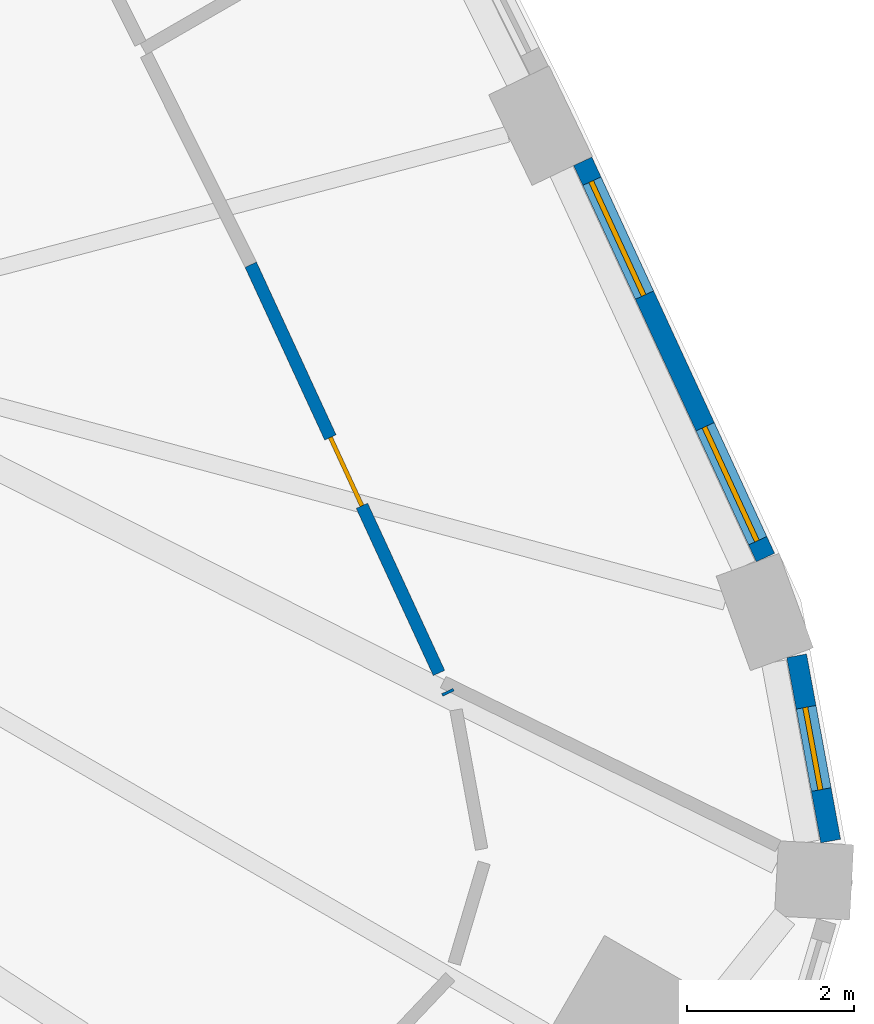
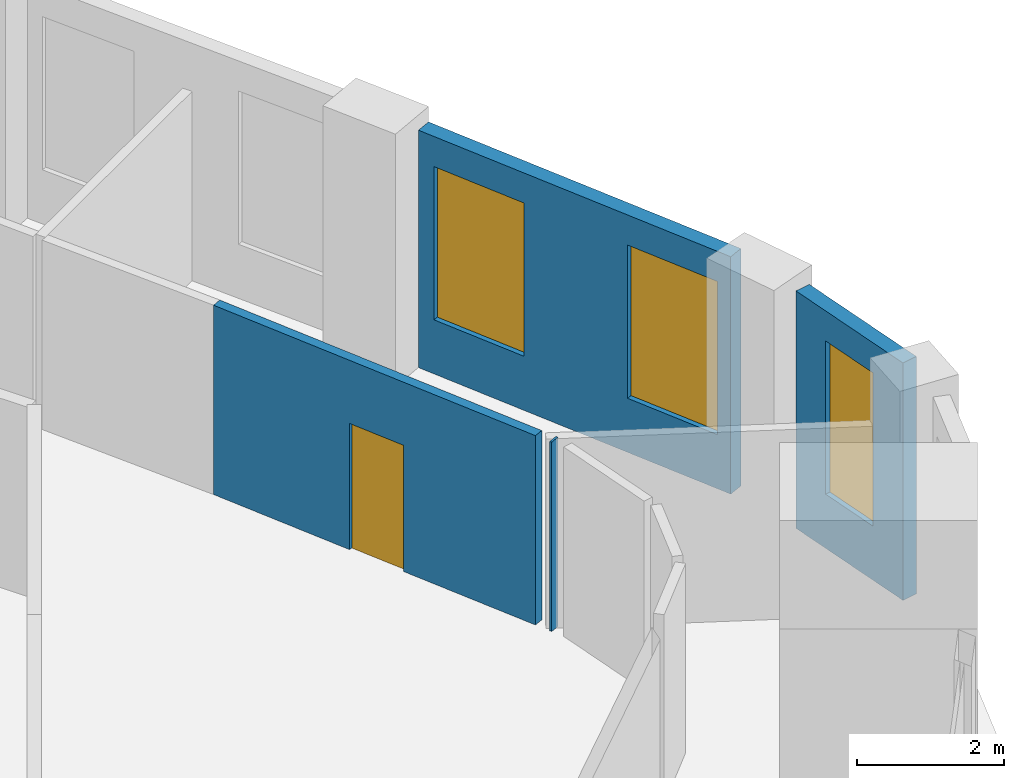
# One storey, part 7 of 11: 4 walls, 3 windows, 1 door, 4 openings.
"""IFC4 building model written with IfcOpenShell, lengths in metres."""

from ifc_helpers import new_model, si_unit, direction, frame, frame_2d, origin, place, context, subcontext, project, spatial, rectangle, extrude, material, layer, layer_set, type_object, element, fill, save


model = new_model("IFC4")

# Units and contexts
model_context = context("Model", 3, precision=1e-05, world=origin(), true_north=direction((0.0, 1.0)))
body_context = subcontext(model_context, "Body", "Model", "MODEL_VIEW")
ifc_project = project(units=[si_unit("LENGTHUNIT", "METRE"), si_unit("AREAUNIT", "SQUARE_METRE"), si_unit("VOLUMEUNIT", "CUBIC_METRE"), si_unit("PLANEANGLEUNIT", "RADIAN"), si_unit("MASSUNIT", "GRAM", prefix="KILO")], contexts=[model_context])

# Site, building, storey
site_placement = place(None, origin())
site = spatial("IfcSite", under=ifc_project, at=site_placement, CompositionType="ELEMENT")
building_placement = place(site_placement, origin())
building = spatial("IfcBuilding", under=site, at=building_placement, Name="Mestral Congress Tower", CompositionType="ELEMENT")
storey_placement = place(building_placement, frame((0.0, 0.0, 175.199951171875)))
storey = spatial("IfcBuildingStorey", under=building, at=storey_placement, Name="L41", CompositionType="ELEMENT", Elevation=175.199951171875)

# Wall, opening, window
ifc_material_1 = material(Name="Precast concrete C40/50 with limestone facing", Category="masonry")
ifc_layer_1 = layer(ifc_material_1, 0.239990234375)
ifc_layer_set_1 = layer_set([ifc_layer_1], Name="Precast concrete C40/50 with limestone facing")
wall_type_1 = type_object("IfcWallType", Name="Facade stone wall 240", PredefinedType="SOLIDWALL", material=ifc_layer_set_1)
wall_1_placement = place(storey_placement, frame((28.79931640625, -12.380126953125, 0.0), z_axis=(0.0, 0.0, 1.0), x_axis=(-0.180737189259, 0.983531427265, 0.0)))
wall_1 = element("IfcWall", 1, at=wall_1_placement, inside=storey, type_object=wall_type_1, Name="Facade wall K0-3", PredefinedType="SOLIDWALL", context=body_context, shape_type="SweptSolid", body=[
    extrude(rectangle(XDim=2.25048828125, YDim=0.239990234375, at=frame_2d((1.125244140625, 0.0))), origin(), (0.0, 0.0, 1.0), 3.949951171875),
])
opening_1_placement = place(wall_1_placement, frame((0.625244140625, 0.0, 0.89990234375)))
opening_1 = element("IfcOpeningElement", 2, at=opening_1_placement, cuts=wall_1, Name="Opening W5", PredefinedType="OPENING", context=body_context, shape_type="SweptSolid", body=[
    extrude(rectangle(XDim=1.0, YDim=2.550048828125, at=frame_2d((0.5, 1.27490234375))), frame((0.0, 0.1298828125, 0.0), z_axis=(0.0, -1.0, 0.0), x_axis=(1.0, 0.0, 0.0)), (0.0, 0.0, 1.0), 0.260009765625),
])
ifc_material_2 = material(Name="Clear low-emissivity double glazing", Category="glass")
window_type_1 = type_object("IfcWindowType", Name="Facade punched window 1000 x 2550 sill 900", PartitioningType="SINGLE_PANEL", PredefinedType="WINDOW", material=ifc_material_2)
window_1_placement = place(opening_1_placement, origin())
window_1 = element("IfcWindow", 3, at=window_1_placement, inside=storey, type_object=window_type_1, Name="Window K0-3", OverallHeight=2.550048828125, OverallWidth=1.0, PartitioningType="SINGLE_PANEL", PredefinedType="WINDOW", context=body_context, shape_type="SweptSolid", body=[
    extrude(rectangle(XDim=1.0, YDim=2.550048828125, at=frame_2d((0.5, 1.27490234375))), frame((0.0, 0.0400390625, 0.0), z_axis=(0.0, -1.0, 0.0), x_axis=(1.0, 0.0, 0.0)), (0.0, 0.0, 1.0), 0.06005859375),
])
fill(opening_1, window_1)

# Wall, openings, windows
wall_2_placement = place(storey_placement, frame((28.019775390625, -8.991943359375, 0.0), z_axis=(0.0, 0.0, 1.0), x_axis=(-0.418722559465, 0.908114209885, 0.0)))
wall_2 = element("IfcWall", 4, at=wall_2_placement, inside=storey, type_object=wall_type_1, Name="Facade wall F1-00", PredefinedType="SOLIDWALL", context=body_context, shape_type="SweptSolid", body=[
    extrude(rectangle(XDim=5.213134765625, YDim=0.239990234375, at=frame_2d((2.6064453125, 0.0))), origin(), (0.0, 0.0, 1.0), 3.949951171875),
])
opening_2_placement = place(wall_2_placement, frame((0.220947265625, 0.0, 0.89990234375)))
opening_2 = element("IfcOpeningElement", 5, at=opening_2_placement, cuts=wall_2, Name="Opening W4", PredefinedType="OPENING", context=body_context, shape_type="SweptSolid", body=[
    extrude(rectangle(XDim=1.5, YDim=2.550048828125, at=frame_2d((0.75, 1.27490234375))), frame((0.0, 0.1298828125, 0.0), z_axis=(0.0, -1.0, 0.0), x_axis=(1.0, 0.0, 0.0)), (0.0, 0.0, 1.0), 0.260009765625),
])
opening_3_placement = place(wall_2_placement, frame((3.452392578125, 0.0, 0.89990234375)))
opening_3 = element("IfcOpeningElement", 6, at=opening_3_placement, cuts=wall_2, Name="Opening W4", PredefinedType="OPENING", context=body_context, shape_type="SweptSolid", body=[
    extrude(rectangle(XDim=1.5, YDim=2.550048828125, at=frame_2d((0.75, 1.27490234375))), frame((0.0, 0.1298828125, 0.0), z_axis=(0.0, -1.0, 0.0), x_axis=(1.0, 0.0, 0.0)), (0.0, 0.0, 1.0), 0.260009765625),
])
window_type_2 = type_object("IfcWindowType", Name="Facade punched window 1500 x 2550 sill 900", PartitioningType="SINGLE_PANEL", PredefinedType="WINDOW", material=ifc_material_2)
window_2_placement = place(opening_2_placement, origin())
window_2 = element("IfcWindow", 7, at=window_2_placement, inside=storey, type_object=window_type_2, Name="Window F1-00a", OverallHeight=2.550048828125, OverallWidth=1.5, PartitioningType="SINGLE_PANEL", PredefinedType="WINDOW", context=body_context, shape_type="SweptSolid", body=[
    extrude(rectangle(XDim=1.5, YDim=2.550048828125, at=frame_2d((0.75, 1.27490234375))), frame((0.0, 0.0400390625, 0.0), z_axis=(0.0, -1.0, 0.0), x_axis=(1.0, 0.0, 0.0)), (0.0, 0.0, 1.0), 0.06005859375),
])
fill(opening_2, window_2)
window_3_placement = place(opening_3_placement, origin())
window_3 = element("IfcWindow", 8, at=window_3_placement, inside=storey, type_object=window_type_2, Name="Window F1-00b", OverallHeight=2.550048828125, OverallWidth=1.5, PartitioningType="SINGLE_PANEL", PredefinedType="WINDOW", context=body_context, shape_type="SweptSolid", body=[
    extrude(rectangle(XDim=1.5, YDim=2.550048828125, at=frame_2d((0.75, 1.27490234375))), frame((0.0, 0.0400390625, 0.0), z_axis=(0.0, -1.0, 0.0), x_axis=(1.0, 0.0, 0.0)), (0.0, 0.0, 1.0), 0.06005859375),
])
fill(opening_3, window_3)

# Wall
ifc_material_3 = material(Name="Plasterboard partition on steel studs", Category="steel")
ifc_layer_2 = layer(ifc_material_3, 0.14990234375)
ifc_layer_set_2 = layer_set([ifc_layer_2], Name="Plasterboard partition on steel studs")
wall_type_2 = type_object("IfcWallType", Name="Office partition 150", PredefinedType="PARTITIONING", material=ifc_layer_set_2)
wall_3_placement = place(storey_placement, frame((24.232666015625, -10.617919921875, 0.0), z_axis=(0.0, 0.0, 1.0), x_axis=(-0.423685108901, 0.905809543169, 0.0)))
element("IfcWall", 9, at=wall_3_placement, inside=storey, type_object=wall_type_2, Name="Partition", PredefinedType="PARTITIONING", context=body_context, shape_type="SweptSolid", body=[
    extrude(rectangle(XDim=0.033447265625, YDim=0.14990234375, at=frame_2d((0.0166015625, 0.0))), origin(), (0.0, 0.0, 1.0), 3.150146484375),
])

# Wall, opening, door
wall_4_placement = place(storey_placement, frame((21.869384765625, -5.492919921875, 0.0), z_axis=(0.0, 0.0, 1.0), x_axis=(0.4187440514, -0.908104299856, 0.0)))
wall_4 = element("IfcWall", 10, at=wall_4_placement, inside=storey, type_object=wall_type_2, Name="Partition", PredefinedType="PARTITIONING", context=body_context, shape_type="SweptSolid", body=[
    extrude(rectangle(XDim=5.37255859375, YDim=0.14990234375, at=frame_2d((2.686279296875, 0.0))), origin(), (0.0, 0.0, 1.0), 3.150146484375),
])
opening_4_placement = place(wall_4_placement, frame((2.272705078125, 0.0, 0.0)))
opening_4 = element("IfcOpeningElement", 11, at=opening_4_placement, cuts=wall_4, Name="Opening O03-005", PredefinedType="OPENING", context=body_context, shape_type="SweptSolid", body=[
    extrude(rectangle(XDim=0.89990234375, YDim=2.10009765625, at=frame_2d((0.449951171875, 1.050048828125))), frame((0.0, 0.0849609375, 0.0), z_axis=(0.0, -1.0, 0.0), x_axis=(1.0, 0.0, 0.0)), (0.0, 0.0, 1.0), 0.169921875),
])
ifc_material_4 = material(Name="Timber door set", Category="wood")
door_type = type_object("IfcDoorType", Name="Office door 900x2100", OperationType="SINGLE_SWING_LEFT", PredefinedType="DOOR", material=ifc_material_4)
door_placement = place(opening_4_placement, origin())
door = element("IfcDoor", 12, at=door_placement, inside=storey, type_object=door_type, Name="Door O03-005", OperationType="SINGLE_SWING_RIGHT", OverallHeight=2.10009765625, OverallWidth=0.89990234375, PredefinedType="DOOR", context=body_context, shape_type="SweptSolid", body=[
    extrude(rectangle(XDim=0.89990234375, YDim=2.10009765625, at=frame_2d((0.449951171875, 1.050048828125))), frame((0.0, 0.02490234375, 0.0), z_axis=(0.0, -1.0, 0.0), x_axis=(1.0, 0.0, 0.0)), (0.0, 0.0, 1.0), 0.050048828125),
])
fill(opening_4, door)

save(model, "model.ifc")
